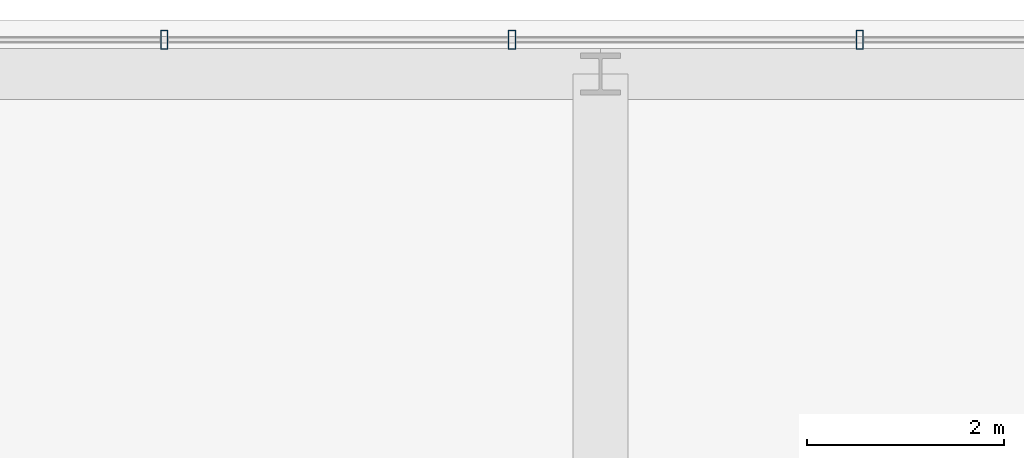
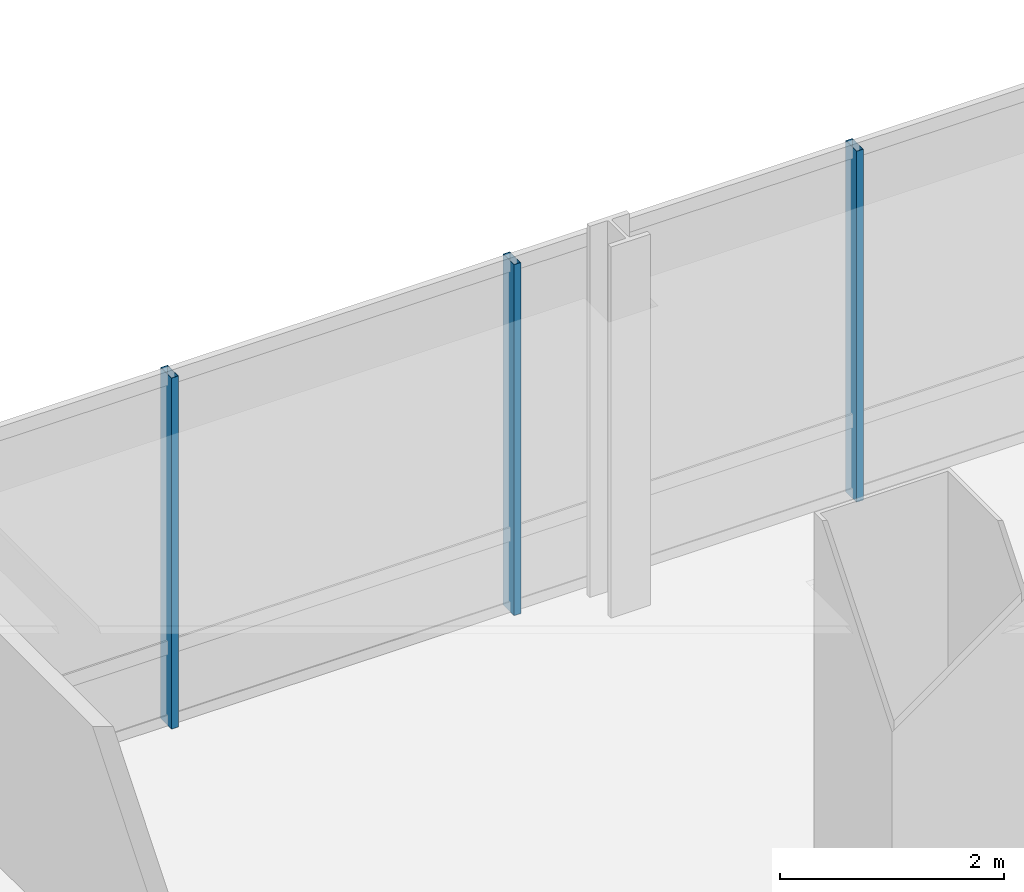
# One storey, part 25 of 38: 3 members, 1 element without a shape of its own.
"""IFC4 building model written with IfcOpenShell, lengths in metres."""

from ifc_helpers import new_model, si_unit, direction, frame, origin, origin_2d, place, context, subcontext, project, spatial, hollow_rectangle, extrude, material, material_profile, profile_set, type_object, element, aggregate, save


model = new_model("IFC4")

# Units and contexts
model_context = context("Model", 3, precision=1e-05, world=origin(), true_north=direction((0.0, 1.0)))
body_context = subcontext(model_context, "Body", "Model", "MODEL_VIEW")
ifc_project = project(units=[si_unit("LENGTHUNIT", "METRE"), si_unit("AREAUNIT", "SQUARE_METRE"), si_unit("VOLUMEUNIT", "CUBIC_METRE"), si_unit("PLANEANGLEUNIT", "RADIAN"), si_unit("MASSUNIT", "GRAM", prefix="KILO")], contexts=[model_context])

# Site, building, storey
site_placement = place(None, origin())
site = spatial("IfcSite", under=ifc_project, at=site_placement, CompositionType="ELEMENT")
building_placement = place(site_placement, origin())
building = spatial("IfcBuilding", under=site, at=building_placement, Name="Punatoya Terracotta Tower", CompositionType="ELEMENT")
storey_placement = place(building_placement, frame((0.0, 0.0, 143.85009765625)))
storey = spatial("IfcBuildingStorey", under=building, at=storey_placement, Name="L33", CompositionType="ELEMENT", Elevation=143.85009765625)

# Curtain wall, members
ifc_material_1 = material(Name="Aluminium 6063-T6 + Double Low-E Glass", Category="aluminium")
curtain_wall_type = type_object("IfcCurtainWallType", Name="CW-M2", PredefinedType="NOTDEFINED", material=ifc_material_1)
curtain_wall_placement = place(storey_placement, origin())
curtain_wall = element("IfcCurtainWall", 1, at=curtain_wall_placement, inside=storey, type_object=curtain_wall_type, Name="L33 Curtain Wall CW-L33-N09-1", PredefinedType="NOTDEFINED")
ifc_material_2 = material(Name="Aluminium 6063-T6", Category="aluminium")
ifc_material_profile = material_profile(ifc_material_2, hollow_rectangle(XDim=0.072021484375, YDim=0.195068359375, WallThickness=0.00439453125, at=origin_2d()))
ifc_profile_set = profile_set([ifc_material_profile], Name="Aluminium 6063-T6")
member_type = type_object("IfcMemberType", Name="CW-MUL-M2", PredefinedType="MULLION", material=ifc_profile_set)
member_1_placement = place(storey_placement, frame((6.43505859375, 23.25, 0.0), z_axis=(0.0, 0.0, 1.0), x_axis=(1.0, 0.0, 0.0)))
member_1 = element("IfcMember", 2, at=member_1_placement, type_object=member_type, Name="CW-L33-N09-1 Mullion 03", PredefinedType="MULLION", context=body_context, shape_type="SweptSolid", body=[
    extrude(hollow_rectangle(XDim=0.072021484375, YDim=0.195068359375, WallThickness=0.00439453125, at=origin_2d()), origin(), (0.0, 0.0, 1.0), 3.829833984375),
])
member_2_placement = place(storey_placement, frame((2.90087890625, 23.25, 0.0), z_axis=(0.0, 0.0, 1.0), x_axis=(1.0, 0.0, 0.0)))
member_2 = element("IfcMember", 3, at=member_2_placement, type_object=member_type, Name="CW-L33-N09-1 Mullion 04", PredefinedType="MULLION", context=body_context, shape_type="SweptSolid", body=[
    extrude(hollow_rectangle(XDim=0.072021484375, YDim=0.195068359375, WallThickness=0.00439453125, at=origin_2d()), origin(), (0.0, 0.0, 1.0), 3.829833984375),
])
member_3_placement = place(storey_placement, frame((-0.633056640625, 23.25, 0.0), z_axis=(0.0, 0.0, 1.0), x_axis=(1.0, 0.0, 0.0)))
member_3 = element("IfcMember", 4, at=member_3_placement, type_object=member_type, Name="CW-L33-N09-1 Mullion 05", PredefinedType="MULLION", context=body_context, shape_type="SweptSolid", body=[
    extrude(hollow_rectangle(XDim=0.072021484375, YDim=0.195068359375, WallThickness=0.00439453125, at=origin_2d()), origin(), (0.0, 0.0, 1.0), 3.829833984375),
])
aggregate(curtain_wall, [member_1, member_2, member_3])

save(model, "model.ifc")
